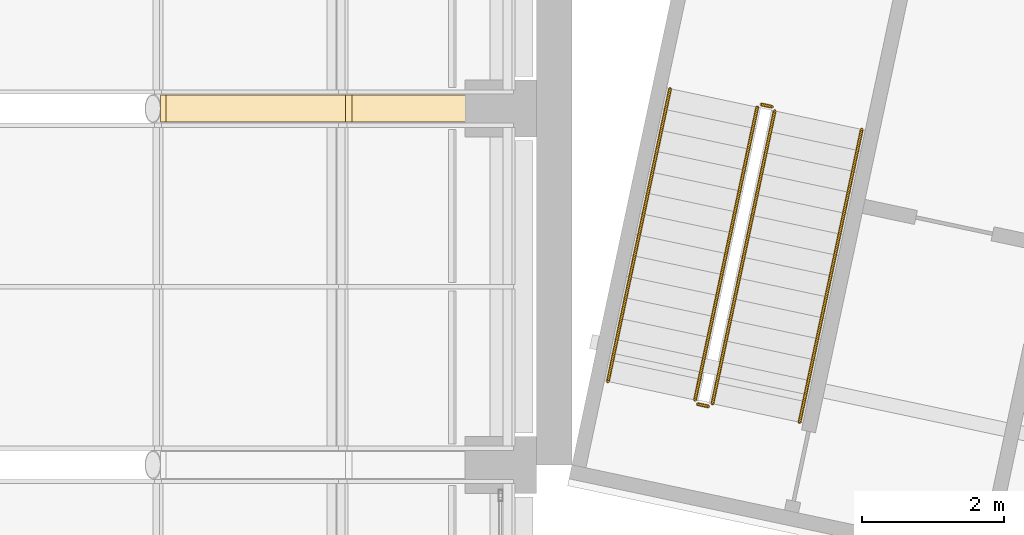
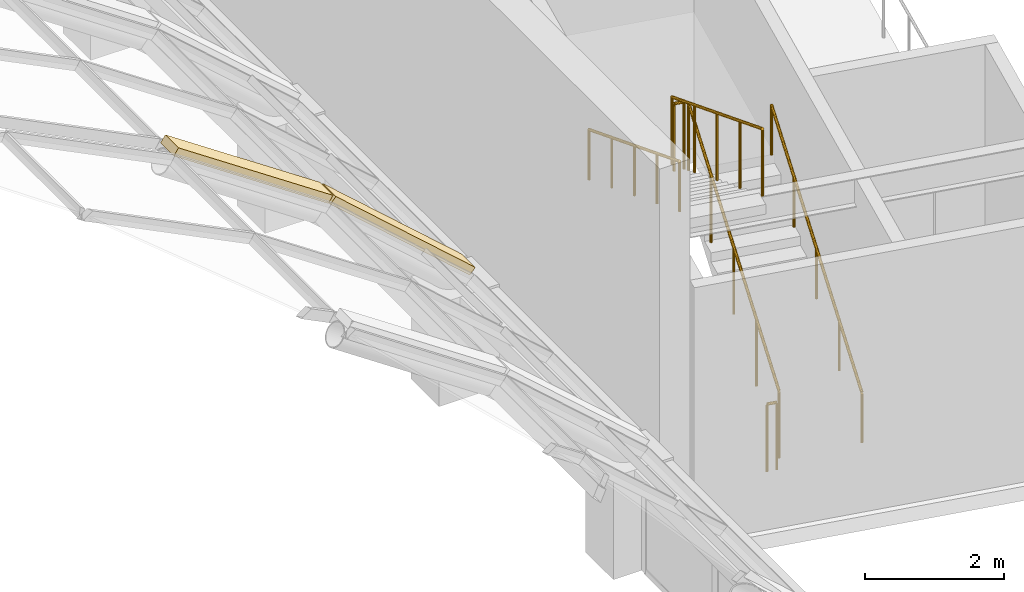
# One storey, part 179 of 182: 6 railings, 2 coverings.
"""IFC4 building model written with IfcOpenShell, lengths in metres."""

from ifc_helpers import new_model, si_unit, direction, frame, origin, origin_2d, place, context, subcontext, project, spatial, polyline, circle, outline, extrude, material, layer, layer_set, type_object, element, save


model = new_model("IFC4")

# Units and contexts
model_context = context("Model", 3, precision=1e-05, world=origin(), true_north=direction((0.0, 1.0)))
body_context = subcontext(model_context, "Body", "Model", "MODEL_VIEW")
ifc_project = project(units=[si_unit("LENGTHUNIT", "METRE"), si_unit("AREAUNIT", "SQUARE_METRE"), si_unit("VOLUMEUNIT", "CUBIC_METRE"), si_unit("PLANEANGLEUNIT", "RADIAN"), si_unit("MASSUNIT", "GRAM", prefix="KILO")], contexts=[model_context])

# Site, building, storey
site_placement = place(None, origin())
site = spatial("IfcSite", under=ifc_project, at=site_placement, CompositionType="ELEMENT")
building_placement = place(site_placement, origin())
building = spatial("IfcBuilding", under=site, at=building_placement, Name="Okhra Congress Centre", CompositionType="ELEMENT")
storey_placement = place(building_placement, frame((0.0, 0.0, 7.199951171875)))
storey = spatial("IfcBuildingStorey", under=building, at=storey_placement, Name="L01", CompositionType="ELEMENT", Elevation=7.199951171875)

# Coverings
ifc_material_1 = material(Name="Extruded aluminium capping, thermally broken", Category="aluminium")
ifc_layer = layer(ifc_material_1, 0.139892578125)
ifc_layer_set = layer_set([ifc_layer], Name="Aluminium rib capping 380")
covering_type = type_object("IfcCoveringType", Name="Aluminium rib capping 380", PredefinedType="CLADDING", material=ifc_layer_set)
covering_1_placement = place(storey_placement, frame((184.303466796875, 100.81005859375, 5.876220703125), z_axis=(0.559487786357, 0.0, 0.828838595215), x_axis=(0.828838595215, 0.0, -0.559487786357)))
element("IfcCovering", 1, at=covering_1_placement, inside=storey, type_object=covering_type, Name="Rib capping 6.11", PredefinedType="CLADDING", context=body_context, shape_type="SweptSolid", body=[
    extrude(outline(polyline([(0.0, 0.0), (3.08902450870042, 0.0), (3.08902450870042, 0.3798828125), (0.0, 0.3798828125), (0.0, 0.0)])), origin(), (0.0, 0.0, -1.0), 0.139892578125),
])
covering_2_placement = place(storey_placement, frame((186.9111328125, 100.81005859375, 4.111328125), z_axis=(0.663725875965, 0.0, 0.747975909756), x_axis=(0.747975909756, 0.0, -0.663725875965)))
element("IfcCovering", 2, at=covering_2_placement, inside=storey, type_object=covering_type, Name="Rib capping 6.12", PredefinedType="CLADDING", context=body_context, shape_type="SweptSolid", body=[
    extrude(outline(polyline([(0.0, 0.0), (3.0890658975292116, 0.0), (3.0890658975292116, 0.3798828125), (0.0, 0.3798828125), (0.0, 0.0)])), origin(), (0.0, 0.0, -1.0), 0.139892578125),
])

# Railings
ifc_material_2 = material(Name="Painted steel tube handrail on wall brackets", Category="steel")
railing_type_1 = type_object("IfcRailingType", Name="Steel handrail 900", PredefinedType="HANDRAIL", material=ifc_material_2)
railing_1_placement = place(storey_placement, frame((193.1943359375, 96.598876953125, 0.16015625)))
element("IfcRailing", 3, at=railing_1_placement, inside=storey, type_object=railing_type_1, Name="L01 BG1 stair handrail 1", PredefinedType="HANDRAIL", context=body_context, shape_type="SweptSolid", body=[
    extrude(circle(Radius=0.02392578125, at=origin_2d()), frame((0.0, 0.0, 0.8759765625), z_axis=(0.183458300256, 0.863079753065, 0.470570283716), x_axis=(-0.978146440129, 0.207917150959, 0.0)), (0.0, 0.0, 1.0), 4.76025390625),
    extrude(circle(Radius=0.02099609375, at=origin_2d()), origin(), (0.0, 0.0, 1.0), 0.851806640625),
    extrude(circle(Radius=0.02099609375, at=origin_2d()), frame((0.21826171875, 1.027099609375, 0.56005859375)), (0.0, 0.0, 1.0), 0.851806640625),
    extrude(circle(Radius=0.02099609375, at=origin_2d()), frame((0.4365234375, 2.05419921875, 1.1201171875)), (0.0, 0.0, 1.0), 0.851806640625),
    extrude(circle(Radius=0.02099609375, at=origin_2d()), frame((0.655029296875, 3.081298828125, 1.679931640625)), (0.0, 0.0, 1.0), 0.851806640625),
    extrude(circle(Radius=0.02099609375, at=origin_2d()), frame((0.873291015625, 4.1083984375, 2.239990234375)), (0.0, 0.0, 1.0), 0.851806640625),
])
railing_2_placement = place(storey_placement, frame((191.377685546875, 101.27880859375, 2.56005859375)))
element("IfcRailing", 4, at=railing_2_placement, inside=storey, type_object=railing_type_1, Name="L01 BG1 stair handrail 2", PredefinedType="HANDRAIL", context=body_context, shape_type="SweptSolid", body=[
    extrude(circle(Radius=0.02392578125, at=origin_2d()), frame((0.0, 0.0, 0.8759765625), z_axis=(-0.183466421502, -0.863066668889, 0.4705911147), x_axis=(0.978143927149, -0.207928972925, 0.0)), (0.0, 0.0, 1.0), 4.760009765625),
    extrude(circle(Radius=0.02099609375, at=origin_2d()), origin(), (0.0, 0.0, 1.0), 0.851806640625),
    extrude(circle(Radius=0.02099609375, at=origin_2d()), frame((-0.21826171875, -1.027099609375, 0.56005859375)), (0.0, 0.0, 1.0), 0.851806640625),
    extrude(circle(Radius=0.02099609375, at=origin_2d()), frame((-0.4365234375, -2.05419921875, 1.1201171875)), (0.0, 0.0, 1.0), 0.851806640625),
    extrude(circle(Radius=0.02099609375, at=origin_2d()), frame((-0.655029296875, -3.0810546875, 1.679931640625)), (0.0, 0.0, 1.0), 0.851806640625),
    extrude(circle(Radius=0.02099609375, at=origin_2d()), frame((-0.873291015625, -4.108154296875, 2.239990234375)), (0.0, 0.0, 1.0), 0.851806640625),
])
ifc_material_3 = material(Name="Painted steel tube guard with vertical steel balusters", Category="steel")
railing_type_2 = type_object("IfcRailingType", Name="Steel stair guard 1200", PredefinedType="GUARDRAIL", material=ifc_material_3)
railing_3_placement = place(storey_placement, frame((191.9716796875, 96.85888671875, 0.16015625)))
element("IfcRailing", 5, at=railing_3_placement, inside=storey, type_object=railing_type_2, Name="L01 BG1 stair guard 1", PredefinedType="GUARDRAIL", context=body_context, shape_type="SweptSolid", body=[
    extrude(circle(Radius=0.02392578125, at=origin_2d()), frame((0.0, 0.0, 1.17578125), z_axis=(0.183466421502, 0.863066668889, 0.4705911147), x_axis=(-0.978143927149, 0.207928972925, 0.0)), (0.0, 0.0, 1.0), 4.760009765625),
    extrude(circle(Radius=0.02099609375, at=origin_2d()), origin(), (0.0, 0.0, 1.0), 1.15185546875),
    extrude(circle(Radius=0.02099609375, at=origin_2d()), frame((0.21826171875, 1.027099609375, 0.56005859375)), (0.0, 0.0, 1.0), 1.15185546875),
    extrude(circle(Radius=0.02099609375, at=origin_2d()), frame((0.4365234375, 2.05419921875, 1.1201171875)), (0.0, 0.0, 1.0), 1.15185546875),
    extrude(circle(Radius=0.02099609375, at=origin_2d()), frame((0.655029296875, 3.0810546875, 1.679931640625)), (0.0, 0.0, 1.0), 1.15185546875),
    extrude(circle(Radius=0.02099609375, at=origin_2d()), frame((0.873291015625, 4.108154296875, 2.239990234375)), (0.0, 0.0, 1.0), 1.15185546875),
])
railing_4_placement = place(storey_placement, frame((192.806396484375, 101.0263671875, 2.400146484375)))
element("IfcRailing", 6, at=railing_4_placement, inside=storey, type_object=railing_type_2, Name="L01 BG1 stair guard 2", PredefinedType="GUARDRAIL", context=body_context, shape_type="SweptSolid", body=[
    extrude(circle(Radius=0.02392578125, at=origin_2d()), frame((0.0, 0.0, 1.17578125), z_axis=(-0.978063620518, 0.208306395052, 0.0), x_axis=(-0.208306395052, -0.978063620518, 0.0)), (0.0, 0.0, 1.0), 0.14990234375),
    extrude(circle(Radius=0.02099609375, at=origin_2d()), origin(), (0.0, 0.0, 1.0), 1.15185546875),
    extrude(circle(Radius=0.02099609375, at=origin_2d()), frame((-0.146728515625, 0.03125, 0.0)), (0.0, 0.0, 1.0), 1.15185546875),
])
railing_5_placement = place(storey_placement, frame((192.600341796875, 101.01904296875, 2.56005859375)))
element("IfcRailing", 7, at=railing_5_placement, inside=storey, type_object=railing_type_2, Name="L01 BG1 stair guard 3", PredefinedType="GUARDRAIL", context=body_context, shape_type="SweptSolid", body=[
    extrude(circle(Radius=0.02392578125, at=origin_2d()), frame((0.0, 0.0, 1.17578125), z_axis=(-0.183466421502, -0.863066668889, 0.4705911147), x_axis=(0.978143927149, -0.207928972925, 0.0)), (0.0, 0.0, 1.0), 4.760009765625),
    extrude(circle(Radius=0.02099609375, at=origin_2d()), origin(), (0.0, 0.0, 1.0), 1.15185546875),
    extrude(circle(Radius=0.02099609375, at=origin_2d()), frame((-0.21826171875, -1.027099609375, 0.56005859375)), (0.0, 0.0, 1.0), 1.15185546875),
    extrude(circle(Radius=0.02099609375, at=origin_2d()), frame((-0.4365234375, -2.05419921875, 1.1201171875)), (0.0, 0.0, 1.0), 1.15185546875),
    extrude(circle(Radius=0.02099609375, at=origin_2d()), frame((-0.655029296875, -3.0810546875, 1.679931640625)), (0.0, 0.0, 1.0), 1.15185546875),
    extrude(circle(Radius=0.02099609375, at=origin_2d()), frame((-0.873291015625, -4.108154296875, 2.239990234375)), (0.0, 0.0, 1.0), 1.15185546875),
])
railing_6_placement = place(storey_placement, frame((191.912353515625, 96.8203125, 0.0)))
element("IfcRailing", 8, at=railing_6_placement, inside=storey, type_object=railing_type_2, Name="L01 BG1 stair guard 4", PredefinedType="GUARDRAIL", context=body_context, shape_type="SweptSolid", body=[
    extrude(circle(Radius=0.02392578125, at=origin_2d()), frame((0.0, 0.0, 1.17578125), z_axis=(-0.978063620518, 0.208306395052, 0.0), x_axis=(-0.208306395052, -0.978063620518, 0.0)), (0.0, 0.0, 1.0), 0.14990234375),
    extrude(circle(Radius=0.02099609375, at=origin_2d()), origin(), (0.0, 0.0, 1.0), 1.15185546875),
    extrude(circle(Radius=0.02099609375, at=origin_2d()), frame((-0.146728515625, 0.03125, 0.0)), (0.0, 0.0, 1.0), 1.15185546875),
])

save(model, "model.ifc")
